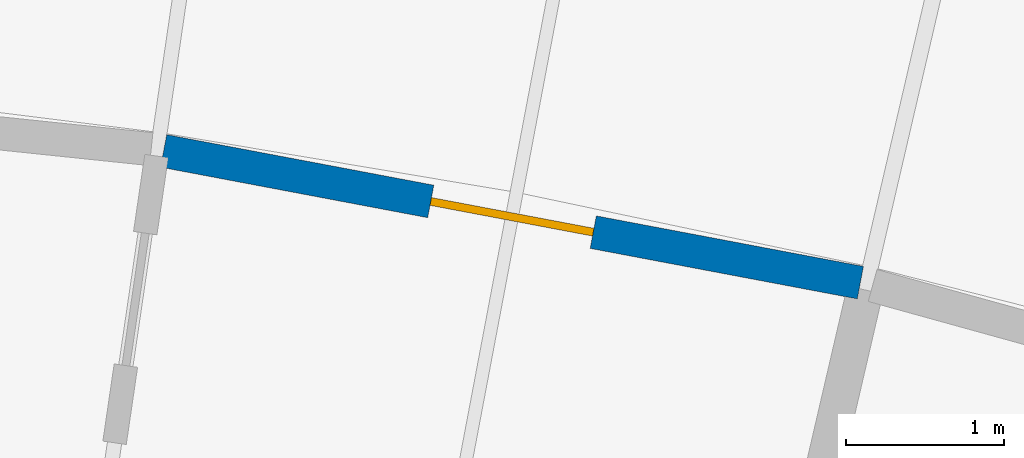
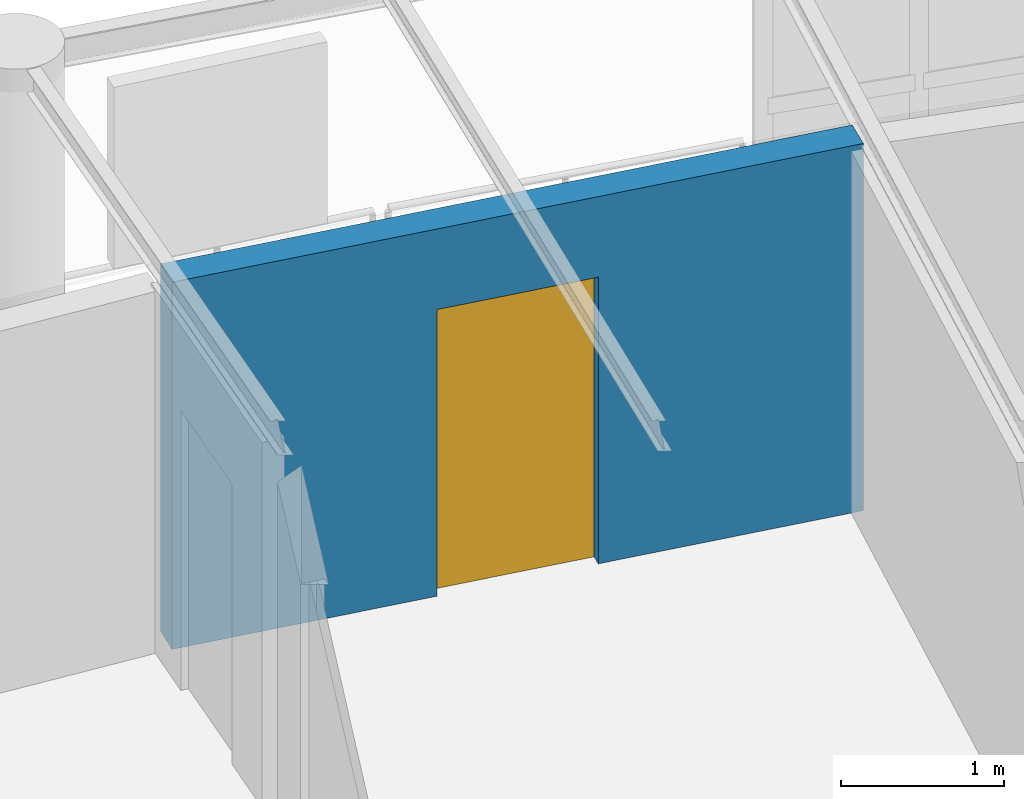
# One storey, part 75 of 101: 1 door, 1 wall, 1 opening.
"""IFC4 building model written with IfcOpenShell, lengths in metres."""

from ifc_helpers import new_model, si_unit, direction, frame, frame_2d, origin, place, context, subcontext, project, spatial, rectangle, extrude, material, layer, layer_set, type_object, element, fill, save


model = new_model("IFC4")

# Units and contexts
model_context = context("Model", 3, precision=1e-05, world=origin(), true_north=direction((0.0, 1.0)))
body_context = subcontext(model_context, "Body", "Model", "MODEL_VIEW")
ifc_project = project(units=[si_unit("LENGTHUNIT", "METRE"), si_unit("AREAUNIT", "SQUARE_METRE"), si_unit("VOLUMEUNIT", "CUBIC_METRE"), si_unit("PLANEANGLEUNIT", "RADIAN"), si_unit("MASSUNIT", "GRAM", prefix="KILO"), si_unit("POWERUNIT", "WATT"), si_unit("THERMODYNAMICTEMPERATUREUNIT", "KELVIN")], contexts=[model_context])

# Site, building, storey
site_placement = place(None, origin())
site = spatial("IfcSite", under=ifc_project, at=site_placement, CompositionType="ELEMENT")
building_placement = place(site_placement, origin())
building = spatial("IfcBuilding", under=site, at=building_placement, Name="Ruvembo Vaulted Housing Court", CompositionType="ELEMENT")
storey_placement = place(building_placement, frame((0.0, 0.0, 17.300048828125)))
storey = spatial("IfcBuildingStorey", under=building, at=storey_placement, Name="L05", CompositionType="ELEMENT", Elevation=17.300048828125)

# Wall, opening, door
ifc_material_1 = material(Name="Concrete Blockwork 210", Category="masonry")
ifc_layer = layer(ifc_material_1, 0.2099609375, Name="Concrete Blockwork 210")
ifc_layer_set = layer_set([ifc_layer], Name="Concrete Blockwork 210")
wall_type = type_object("IfcWallType", Name="WL-CORR-210", PredefinedType="SOLIDWALL", material=ifc_layer_set)
wall_placement = place(storey_placement, frame((125.031005859375, 104.611083984375, 0.0), z_axis=(0.0, 0.0, 1.0), x_axis=(0.982595404078, -0.18575863879, 0.0)))
wall = element("IfcWall", 1, at=wall_placement, inside=storey, type_object=wall_type, Name="L05 Suite SC3-L05-U5 Entrance WL-INT-L05-01673", PredefinedType="SOLIDWALL", context=body_context, shape_type="SweptSolid", body=[
    extrude(rectangle(XDim=4.50146484375, YDim=0.2099609375, at=frame_2d((2.250732421875, 0.0))), origin(), (0.0, 0.0, 1.0), 2.75390625),
])
opening_placement = place(wall_placement, frame((1.725830078125, 0.0, 0.0)))
opening = element("IfcOpeningElement", 2, at=opening_placement, cuts=wall, Name="Opening FD3", PredefinedType="OPENING", context=body_context, shape_type="SweptSolid", body=[
    extrude(rectangle(XDim=1.050048828125, YDim=2.14990234375, at=frame_2d((0.52490234375, 1.074951171875))), frame((0.0, 0.114990234375, 0.0), z_axis=(0.0, -1.0, 0.0), x_axis=(1.0, 0.0, 0.0)), (0.0, 0.0, 1.0), 0.22998046875),
])
ifc_material_2 = material(Name="FSC Hardwood and Engineered Timber", Category="wood")
door_type = type_object("IfcDoorType", Name="DR-FLAT-1050x2150", OperationType="NOTDEFINED", PredefinedType="DOOR", material=ifc_material_2)
door_placement = place(opening_placement, origin())
door = element("IfcDoor", 3, at=door_placement, inside=storey, type_object=door_type, Name="L05 Suite SC3-L05-U5 Entrance Door DR-INT-L05-00947", OperationType="SINGLE_SWING_LEFT", OverallHeight=2.14990234375, OverallWidth=1.050048828125, PredefinedType="DOOR", context=body_context, shape_type="SweptSolid", body=[
    extrude(rectangle(XDim=1.050048828125, YDim=2.14990234375, at=frame_2d((0.52490234375, 1.074951171875))), frame((0.0, 0.02490234375, 0.0), z_axis=(0.0, -1.0, 0.0), x_axis=(1.0, 0.0, 0.0)), (0.0, 0.0, 1.0), 0.050048828125),
])
fill(opening, door)

save(model, "model.ifc")
